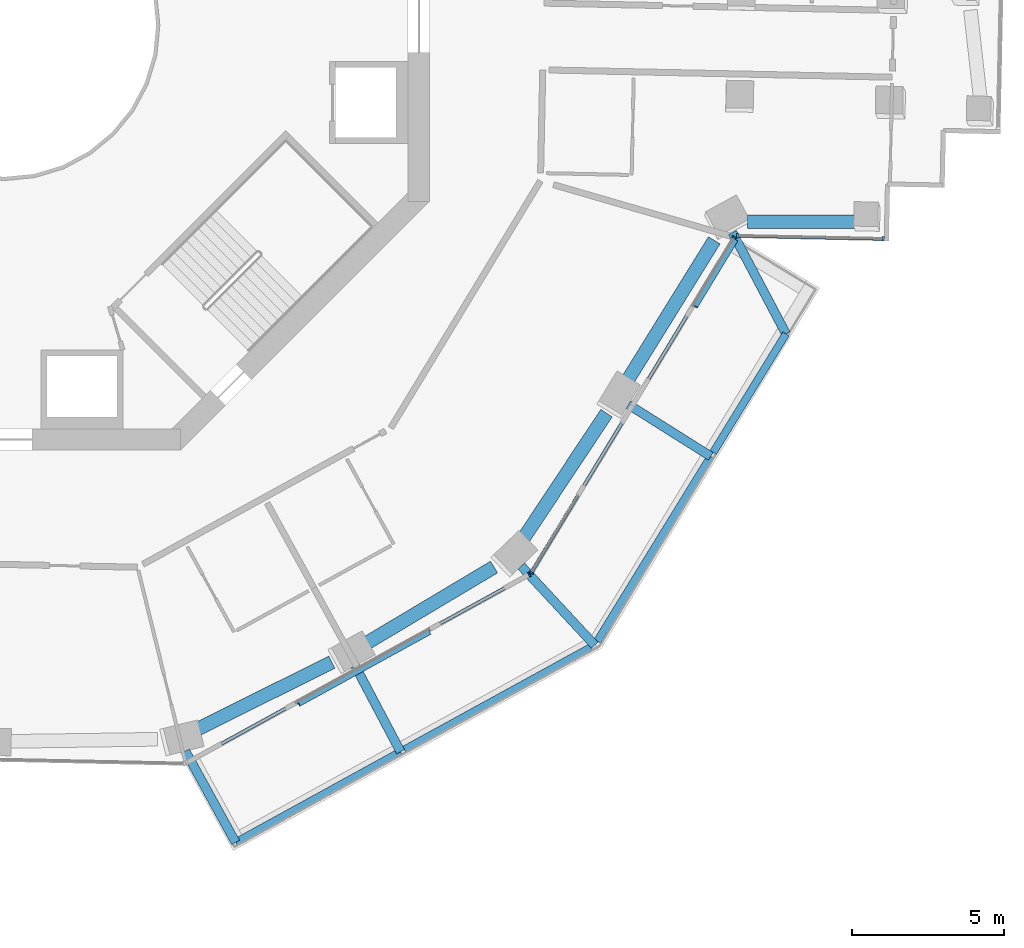
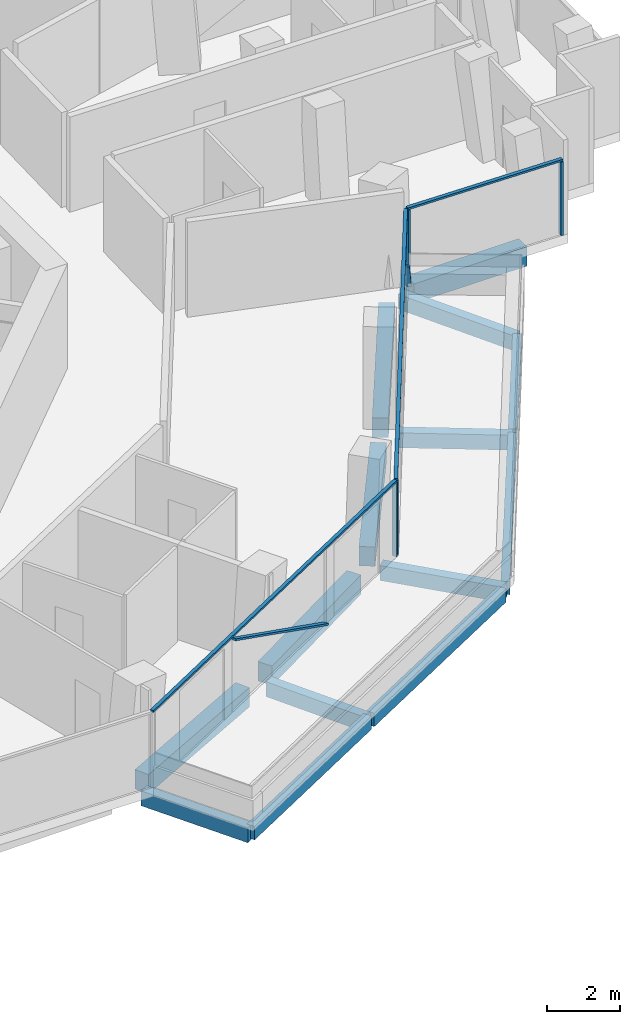
# One storey, part 5 of 22: 14 beams, 10 members, 3 elements without a shape of their own.
"""IFC4 building model written with IfcOpenShell, lengths in metres."""

from ifc_helpers import new_model, si_unit, direction, frame, origin, origin_2d, place, context, subcontext, project, spatial, rectangle, extrude, material, layer, layer_set, material_profile, profile_set, type_object, element, aggregate, save


model = new_model("IFC4")

# Units and contexts
model_context = context("Model", 3, precision=1e-05, world=origin(), true_north=direction((0.0, 1.0)))
body_context = subcontext(model_context, "Body", "Model", "MODEL_VIEW")
ifc_project = project(units=[si_unit("LENGTHUNIT", "METRE"), si_unit("AREAUNIT", "SQUARE_METRE"), si_unit("VOLUMEUNIT", "CUBIC_METRE"), si_unit("PLANEANGLEUNIT", "RADIAN"), si_unit("MASSUNIT", "GRAM", prefix="KILO")], contexts=[model_context])

# Site, building, storey
site_placement = place(None, origin())
site = spatial("IfcSite", under=ifc_project, at=site_placement, CompositionType="ELEMENT")
building_placement = place(site_placement, origin())
building = spatial("IfcBuilding", under=site, at=building_placement, Name="Verdalira Terraces Hotel", CompositionType="ELEMENT")
storey_placement = place(building_placement, frame((0.0, 0.0, 150.5)))
storey = spatial("IfcBuildingStorey", under=building, at=storey_placement, Name="L36", CompositionType="ELEMENT", Elevation=150.5)

# Beams
ifc_material_1 = material(Name="Concrete C40", Category="concrete")
ifc_material_profile_1 = material_profile(ifc_material_1, rectangle(XDim=0.300049, YDim=0.5, at=origin_2d()), Name="RC 300X500")
ifc_profile_set_1 = profile_set([ifc_material_profile_1], Name="Concrete C40")
beam_type_1 = type_object("IfcBeamType", Name="Balcony cantilever beam RC 300X500 C40", PredefinedType="BEAM", material=ifc_profile_set_1)
beam_1_placement = place(storey_placement, frame((5.961182, -23.912842, -0.560059), z_axis=(0.481790384, -0.876286498, 0.0), x_axis=(0.876286498, 0.481790384, 0.0)))
element("IfcBeam", 1, at=beam_1_placement, inside=storey, type_object=beam_type_1, Name="Balcony cantilever beam R26-1", PredefinedType="BEAM", context=body_context, shape_type="SweptSolid", body=[
    extrude(rectangle(XDim=0.300049, YDim=0.5, at=origin_2d()), origin(), (0.0, 0.0, 1.0), 3.431641),
])
beam_2_placement = place(storey_placement, frame((11.552734, -21.102783, -0.560059), z_axis=(0.467025396, -0.884243903, 0.0), x_axis=(0.884243903, 0.467025396, 0.0)))
element("IfcBeam", 2, at=beam_2_placement, inside=storey, type_object=beam_type_1, Name="Balcony cantilever beam R26-2", PredefinedType="BEAM", context=body_context, shape_type="SweptSolid", body=[
    extrude(rectangle(XDim=0.300049, YDim=0.5, at=origin_2d()), origin(), (0.0, 0.0, 1.0), 3.200928),
])
beam_3_placement = place(storey_placement, frame((17.024658, -17.815918, -0.560059), z_axis=(0.679971773, -0.733238288, 0.0), x_axis=(0.733238288, 0.679971773, 0.0)))
element("IfcBeam", 3, at=beam_3_placement, inside=storey, type_object=beam_type_1, Name="Balcony cantilever beam R26-3", PredefinedType="BEAM", context=body_context, shape_type="SweptSolid", body=[
    extrude(rectangle(XDim=0.300049, YDim=0.5, at=origin_2d()), origin(), (0.0, 0.0, 1.0), 3.556641),
])
beam_4_placement = place(storey_placement, frame((20.556396, -12.499023, -0.560059), z_axis=(0.846551116, -0.532307437, 0.0), x_axis=(0.532307437, 0.846551116, 0.0)))
element("IfcBeam", 4, at=beam_4_placement, inside=storey, type_object=beam_type_1, Name="Balcony cantilever beam R26-4", PredefinedType="BEAM", context=body_context, shape_type="SweptSolid", body=[
    extrude(rectangle(XDim=0.300049, YDim=0.5, at=origin_2d()), origin(), (0.0, 0.0, 1.0), 3.200928),
])
beam_5_placement = place(storey_placement, frame((23.983398, -6.83252, -0.560059), z_axis=(0.466997795, -0.88425848, 0.0), x_axis=(0.88425848, 0.466997795, 0.0)))
element("IfcBeam", 5, at=beam_5_placement, inside=storey, type_object=beam_type_1, Name="Balcony cantilever beam R26-5", PredefinedType="BEAM", context=body_context, shape_type="SweptSolid", body=[
    extrude(rectangle(XDim=0.300049, YDim=0.5, at=origin_2d()), origin(), (0.0, 0.0, 1.0), 3.769775),
])
ifc_material_2 = material(Name="Concrete C40", Category="concrete")
ifc_material_profile_2 = material_profile(ifc_material_2, rectangle(XDim=0.25, YDim=0.449951, at=origin_2d()), Name="RC 250X450")
ifc_profile_set_2 = profile_set([ifc_material_profile_2], Name="Concrete C40")
beam_type_2 = type_object("IfcBeamType", Name="Balcony edge beam RC 250X450 C40", PredefinedType="BEAM", material=ifc_profile_set_2)
beam_6_placement = place(storey_placement, frame((7.614502, -26.919922, -0.534912), z_axis=(0.87631067, 0.481746416, 0.0), x_axis=(-0.481746416, 0.87631067, 0.0)))
element("IfcBeam", 6, at=beam_6_placement, inside=storey, type_object=beam_type_2, Name="Balcony edge beam R26-1", PredefinedType="BEAM", context=body_context, shape_type="SweptSolid", body=[
    extrude(rectangle(XDim=0.25, YDim=0.449951, at=origin_2d()), origin(), (0.0, 0.0, 1.0), 6.199951),
])
beam_7_placement = place(storey_placement, frame((13.178955, -23.86084, -0.534912), z_axis=(0.876703614, 0.481030949, 0.0), x_axis=(-0.481030949, 0.876703614, 0.0)))
element("IfcBeam", 7, at=beam_7_placement, inside=storey, type_object=beam_type_2, Name="Balcony edge beam R26-2", PredefinedType="BEAM", context=body_context, shape_type="SweptSolid", body=[
    extrude(rectangle(XDim=0.25, YDim=0.449951, at=origin_2d()), origin(), (0.0, 0.0, 1.0), 6.990234),
])
beam_8_placement = place(storey_placement, frame((19.524658, -20.29126, -0.534912), z_axis=(0.523565507, 0.851985423, 0.0), x_axis=(-0.851985423, 0.523565507, 0.0)))
element("IfcBeam", 8, at=beam_8_placement, inside=storey, type_object=beam_type_2, Name="Balcony edge beam R26-3", PredefinedType="BEAM", context=body_context, shape_type="SweptSolid", body=[
    extrude(rectangle(XDim=0.25, YDim=0.449951, at=origin_2d()), origin(), (0.0, 0.0, 1.0), 7.145996),
])
beam_9_placement = place(storey_placement, frame((23.344482, -14.074951, -0.534912), z_axis=(0.523134857, 0.852249917, 0.0), x_axis=(-0.852249917, 0.523134857, 0.0)))
element("IfcBeam", 9, at=beam_9_placement, inside=storey, type_object=beam_type_2, Name="Balcony edge beam R26-4", PredefinedType="BEAM", context=body_context, shape_type="SweptSolid", body=[
    extrude(rectangle(XDim=0.25, YDim=0.449951, at=origin_2d()), origin(), (0.0, 0.0, 1.0), 4.58667),
])

# Curtain wall, member
ifc_material_3 = material(Name="Clear glass", Category="glass")
ifc_layer_1 = layer(ifc_material_3, 0.14990234375)
ifc_layer_set_1 = layer_set([ifc_layer_1], Name="CW1 curtain wall")
curtain_wall_type_1 = type_object("IfcCurtainWallType", Name="CW1 curtain wall", PredefinedType="NOTDEFINED", material=ifc_layer_set_1)
curtain_wall_1_placement = place(storey_placement, origin())
curtain_wall_1 = element("IfcCurtainWall", 10, at=curtain_wall_1_placement, inside=storey, type_object=curtain_wall_type_1, Name="CW1 curtain wall L36 edge 26", PredefinedType="NOTDEFINED")
ifc_material_4 = material(Name="Terracotta frame", Category="masonry")
ifc_material_profile_3 = material_profile(ifc_material_4, rectangle(XDim=0.060059, YDim=0.149902, at=origin_2d()), Name="MU 60x150")
ifc_profile_set_3 = profile_set([ifc_material_profile_3], Name="Terracotta frame")
member_type_1 = type_object("IfcMemberType", Name="CW1 mullion 60x150", PredefinedType="MULLION", material=ifc_profile_set_3)
member_1_placement = place(storey_placement, frame((17.284912, -18.094482, 0.0), z_axis=(0.0, 0.0, 1.0), x_axis=(0.87630668, 0.481753674, 0.0)))
member_1 = element("IfcMember", 11, at=member_1_placement, type_object=member_type_1, Name="CW1 mullion", PredefinedType="MULLION", context=body_context, shape_type="SweptSolid", body=[
    extrude(rectangle(XDim=0.060059, YDim=0.149902, at=origin_2d()), origin(), (0.0, 0.0, 1.0), 2.475098),
])

# Curtain wall, members
curtain_wall_2_placement = place(storey_placement, origin())
curtain_wall_2 = element("IfcCurtainWall", 12, at=curtain_wall_2_placement, inside=storey, type_object=curtain_wall_type_1, Name="CW1 curtain wall L36 edge 27", PredefinedType="NOTDEFINED")
member_2_placement = place(storey_placement, frame((17.354736, -18.027344, 0.0), z_axis=(0.0, 0.0, 1.0), x_axis=(0.518027009, 0.85536426, 0.0)))
member_2 = element("IfcMember", 13, at=member_2_placement, type_object=member_type_1, Name="CW1 mullion", PredefinedType="MULLION", context=body_context, shape_type="SweptSolid", body=[
    extrude(rectangle(XDim=0.060059, YDim=0.149902, at=origin_2d()), origin(), (0.0, 0.0, 1.0), 2.475098),
])
member_3_placement = place(storey_placement, frame((24.037109, -6.993408, 0.0), z_axis=(0.0, 0.0, 1.0), x_axis=(0.518027009, 0.85536426, 0.0)))
member_3 = element("IfcMember", 14, at=member_3_placement, type_object=member_type_1, Name="CW1 mullion", PredefinedType="MULLION", context=body_context, shape_type="SweptSolid", body=[
    extrude(rectangle(XDim=0.060059, YDim=0.149902, at=origin_2d()), origin(), (0.0, 0.0, 1.0), 2.475098),
])

# Member
ifc_material_5 = material(Name="Terracotta frame", Category="masonry")
ifc_material_profile_4 = material_profile(ifc_material_5, rectangle(XDim=0.110107, YDim=0.064941, at=origin_2d()), Name="TR 65x110")
ifc_profile_set_4 = profile_set([ifc_material_profile_4], Name="Terracotta frame")
member_type_2 = type_object("IfcMemberType", Name="CW1 transom 65x110", PredefinedType="USERDEFINED", material=ifc_profile_set_4)
member_4_placement = place(storey_placement, frame((5.989746, -24.303955, 2.507568), z_axis=(0.876312843, 0.481742464, 0.0), x_axis=(-0.481742464, 0.876312843, 0.0)))
member_4 = element("IfcMember", 15, at=member_4_placement, type_object=member_type_2, Name="CW1 transom", ObjectType="TRANSOM", PredefinedType="USERDEFINED", context=body_context, shape_type="SweptSolid", body=[
    extrude(rectangle(XDim=0.110107, YDim=0.064941, at=origin_2d()), origin(), (0.0, 0.0, 1.0), 12.919434),
])

member_5_placement = place(storey_placement, frame((17.339111, -18.053223, 2.507568), z_axis=(0.518029062, 0.855363017, 0.0), x_axis=(-0.855363017, 0.518029062, 0.0)))
member_5 = element("IfcMember", 16, at=member_5_placement, type_object=member_type_2, Name="CW1 transom", ObjectType="TRANSOM", PredefinedType="USERDEFINED", context=body_context, shape_type="SweptSolid", body=[
    extrude(rectangle(XDim=0.110107, YDim=0.064941, at=origin_2d()), origin(), (0.0, 0.0, 1.0), 12.959961),
])

# Curtain wall, members
ifc_material_6 = material(Name="Clear glass", Category="glass")
ifc_layer_2 = layer(ifc_material_6, 0.14990234375)
ifc_layer_set_2 = layer_set([ifc_layer_2], Name="CW2 curtain wall")
curtain_wall_type_2 = type_object("IfcCurtainWallType", Name="CW2 curtain wall", PredefinedType="NOTDEFINED", material=ifc_layer_set_2)
curtain_wall_3_placement = place(storey_placement, origin())
curtain_wall_3 = element("IfcCurtainWall", 17, at=curtain_wall_3_placement, inside=storey, type_object=curtain_wall_type_2, Name="CW2 curtain wall L36 edge 28", PredefinedType="NOTDEFINED")
ifc_material_7 = material(Name="Terracotta frame", Category="masonry")
ifc_material_profile_5 = material_profile(ifc_material_7, rectangle(XDim=0.070068, YDim=0.149902, at=origin_2d()), Name="MU 70x150")
ifc_profile_set_5 = profile_set([ifc_material_profile_5], Name="Terracotta frame")
member_type_3 = type_object("IfcMemberType", Name="CW2 mullion 70x150", PredefinedType="MULLION", material=ifc_profile_set_5)
member_6_placement = place(storey_placement, frame((24.153564, -6.932373, 0.0), z_axis=(0.0, 0.0, 1.0), x_axis=(0.999780683, -0.02094242, 0.0)))
member_6 = element("IfcMember", 18, at=member_6_placement, type_object=member_type_3, Name="CW2 mullion", PredefinedType="MULLION", context=body_context, shape_type="SweptSolid", body=[
    extrude(rectangle(XDim=0.070068, YDim=0.149902, at=origin_2d()), origin(), (0.0, 0.0, 1.0), 2.475098),
])
member_7_placement = place(storey_placement, frame((28.944824, -7.032715, 0.0), z_axis=(0.0, 0.0, 1.0), x_axis=(0.999780683, -0.02094242, 0.0)))
member_7 = element("IfcMember", 19, at=member_7_placement, type_object=member_type_3, Name="CW2 mullion", PredefinedType="MULLION", context=body_context, shape_type="SweptSolid", body=[
    extrude(rectangle(XDim=0.070068, YDim=0.149902, at=origin_2d()), origin(), (0.0, 0.0, 1.0), 2.475098),
])
ifc_material_8 = material(Name="Terracotta frame", Category="masonry")
ifc_material_profile_6 = material_profile(ifc_material_8, rectangle(XDim=0.11499, YDim=0.064941, at=origin_2d()), Name="TR 65x115")
ifc_profile_set_6 = profile_set([ifc_material_profile_6], Name="Terracotta frame")
member_type_4 = type_object("IfcMemberType", Name="CW2 transom 65x115", PredefinedType="USERDEFINED", material=ifc_profile_set_6)
member_8_placement = place(storey_placement, frame((24.118408, -6.931641, 2.507568), z_axis=(0.999780807, -0.020936504, 0.0), x_axis=(0.020936504, 0.999780807, 0.0)))
member_8 = element("IfcMember", 20, at=member_8_placement, type_object=member_type_4, Name="CW2 transom", ObjectType="TRANSOM", PredefinedType="USERDEFINED", context=body_context, shape_type="SweptSolid", body=[
    extrude(rectangle(XDim=0.11499, YDim=0.064941, at=origin_2d()), origin(), (0.0, 0.0, 1.0), 4.862549),
])
aggregate(curtain_wall_3, [member_6, member_7, member_8])

# Member
ifc_material_9 = material(Name="Terracotta frame", Category="masonry")
ifc_material_profile_7 = material_profile(ifc_material_9, rectangle(XDim=0.149902, YDim=0.060059, at=origin_2d()), Name="GB 60x150")
ifc_profile_set_7 = profile_set([ifc_material_profile_7], Name="Terracotta frame")
member_type_5 = type_object("IfcMemberType", Name="Diagonal glazing bar 60x150", PredefinedType="USERDEFINED", material=ifc_profile_set_7)
member_9_placement = place(storey_placement, frame((9.699219, -22.366211, 2.447266), z_axis=(0.786017651, 0.432111185, -0.442104258), x_axis=(-0.481748815, 0.876309351, 0.0)))
member_9 = element("IfcMember", 21, at=member_9_placement, type_object=member_type_5, Name="Diagonal glazing bar", ObjectType="GLAZING BAR", PredefinedType="USERDEFINED", context=body_context, shape_type="SweptSolid", body=[
    extrude(rectangle(XDim=0.149902, YDim=0.060059, at=origin_2d()), origin(), (0.0, 0.0, 1.0), 5.472656),
])

aggregate(curtain_wall_1, [member_1, member_4, member_9])

member_10_placement = place(storey_placement, frame((22.76123, -9.272217, 2.451904), z_axis=(0.375508945, 0.620077928, -0.688836988), x_axis=(-0.855378683, 0.518003194, 0.0)))
member_10 = element("IfcMember", 22, at=member_10_placement, type_object=member_type_5, Name="Diagonal glazing bar", ObjectType="GLAZING BAR", PredefinedType="USERDEFINED", context=body_context, shape_type="SweptSolid", body=[
    extrude(rectangle(XDim=0.149902, YDim=0.060059, at=origin_2d()), origin(), (0.0, 0.0, 1.0), 3.525879),
])

aggregate(curtain_wall_2, [member_2, member_3, member_5, member_10])

# Beams
ifc_material_10 = material(Name="Concrete C50", Category="concrete")
ifc_material_profile_8 = material_profile(ifc_material_10, rectangle(XDim=0.449951, YDim=0.649902, at=origin_2d()), Name="RC 450X650")
ifc_profile_set_8 = profile_set([ifc_material_profile_8], Name="Concrete C50")
beam_type_3 = type_object("IfcBeamType", Name="Spandrel beam RC 450X650 C50", PredefinedType="SPANDREL", material=ifc_profile_set_8)
beam_10_placement = place(storey_placement, frame((6.294434, -23.215332, -0.63501), z_axis=(0.895476159, 0.44510948, 0.0), x_axis=(-0.44510948, 0.895476159, 0.0)))
element("IfcBeam", 23, at=beam_10_placement, inside=storey, type_object=beam_type_3, Name="Spandrel beam B11", PredefinedType="SPANDREL", context=body_context, shape_type="SweptSolid", body=[
    extrude(rectangle(XDim=0.449951, YDim=0.649902, at=origin_2d()), origin(), (0.0, 0.0, 1.0), 5.015381),
])
beam_11_placement = place(storey_placement, frame((11.823486, -20.416016, -0.63501), z_axis=(0.858758216, 0.512381036, 0.0), x_axis=(-0.512381036, 0.858758216, 0.0)))
element("IfcBeam", 24, at=beam_11_placement, inside=storey, type_object=beam_type_3, Name="Spandrel beam B12", PredefinedType="SPANDREL", context=body_context, shape_type="SweptSolid", body=[
    extrude(rectangle(XDim=0.449951, YDim=0.649902, at=origin_2d()), origin(), (0.0, 0.0, 1.0), 5.012207),
])
beam_12_placement = place(storey_placement, frame((17.058838, -16.958008, -0.63501), z_axis=(0.552935303, 0.83322419, 0.0), x_axis=(-0.83322419, 0.552935303, 0.0)))
element("IfcBeam", 25, at=beam_12_placement, inside=storey, type_object=beam_type_3, Name="Spandrel beam B13", PredefinedType="SPANDREL", context=body_context, shape_type="SweptSolid", body=[
    extrude(rectangle(XDim=0.449951, YDim=0.649902, at=origin_2d()), origin(), (0.0, 0.0, 1.0), 5.015381),
])
beam_13_placement = place(storey_placement, frame((20.460449, -11.799805, -0.63501), z_axis=(0.526841076, 0.849963811, 0.0), x_axis=(-0.849963811, 0.526841076, 0.0)))
element("IfcBeam", 26, at=beam_13_placement, inside=storey, type_object=beam_type_3, Name="Spandrel beam B14", PredefinedType="SPANDREL", context=body_context, shape_type="SweptSolid", body=[
    extrude(rectangle(XDim=0.449951, YDim=0.649902, at=origin_2d()), origin(), (0.0, 0.0, 1.0), 5.545166),
])
beam_14_placement = place(storey_placement, frame((24.481689, -6.472168, -0.63501), z_axis=(0.999999717, -0.000751777, 0.0), x_axis=(0.000751777, 0.999999717, 0.0)))
element("IfcBeam", 27, at=beam_14_placement, inside=storey, type_object=beam_type_3, Name="Spandrel beam B15", PredefinedType="SPANDREL", context=body_context, shape_type="SweptSolid", body=[
    extrude(rectangle(XDim=0.449951, YDim=0.649902, at=origin_2d()), origin(), (0.0, 0.0, 1.0), 3.572266),
])

save(model, "model.ifc")
